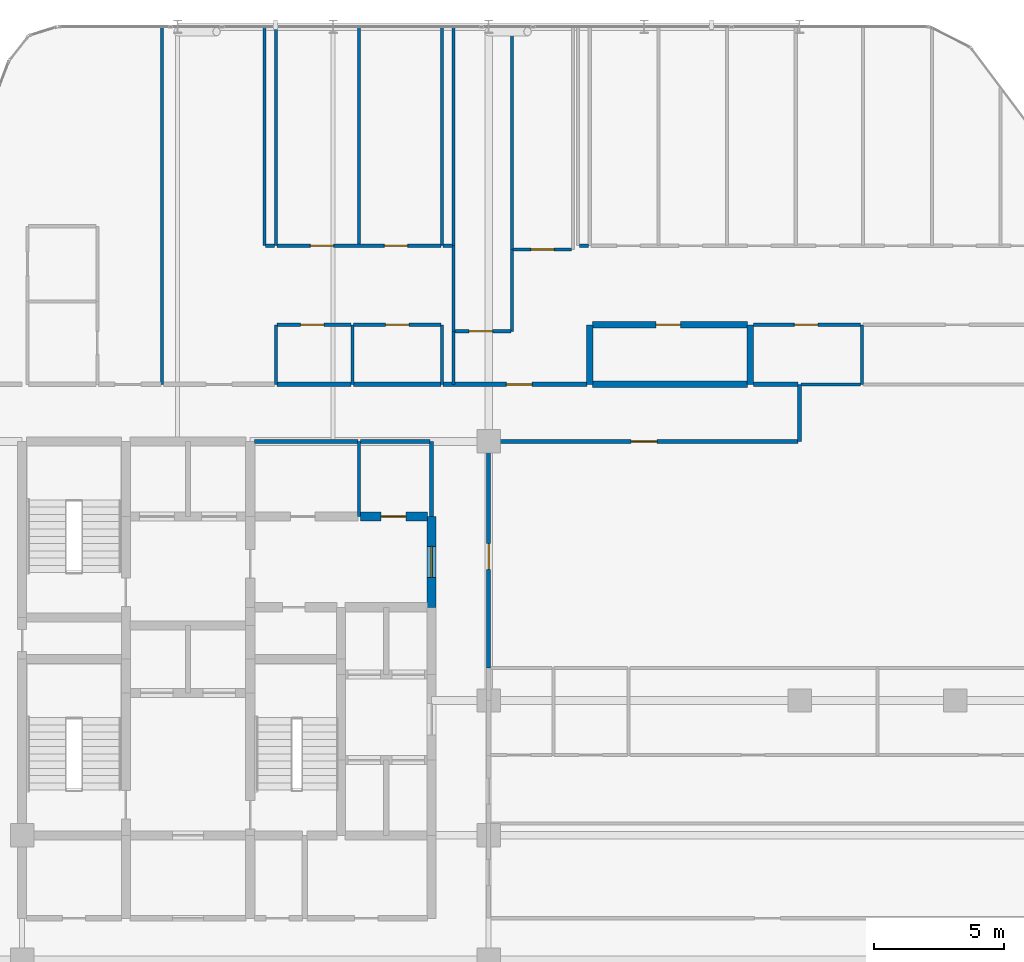
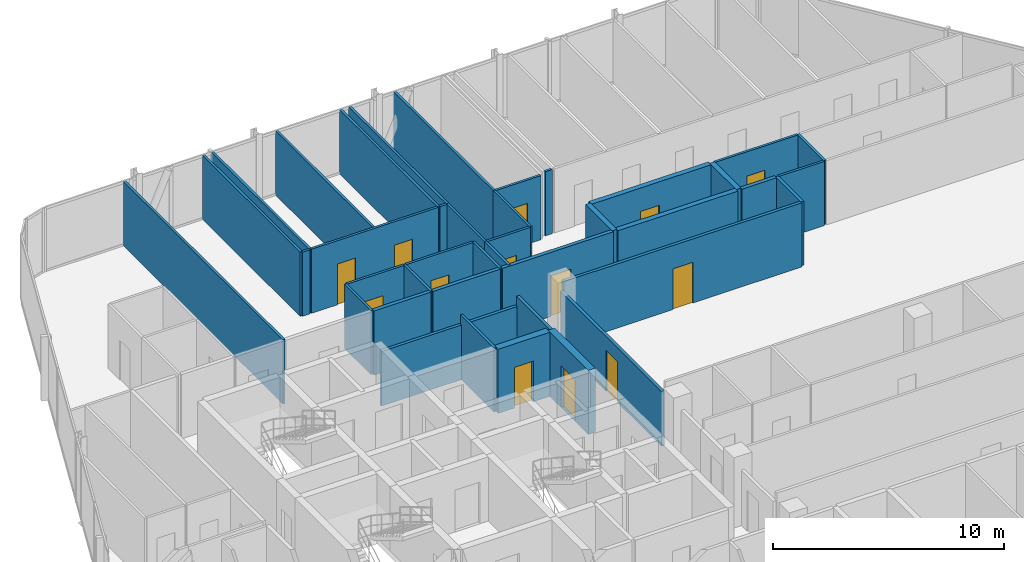
# One storey, part 29 of 31: 41 walls, 13 doors, 13 openings.
"""IFC4 building model written with IfcOpenShell, lengths in metres."""

from ifc_helpers import new_model, si_unit, direction, frame, frame_2d, origin, place, context, subcontext, project, spatial, rectangle, extrude, material, layer, layer_set, type_object, element, fill, save


model = new_model("IFC4")

# Units and contexts
model_context = context("Model", 3, precision=1e-05, world=origin(), true_north=direction((0.0, 1.0)))
body_context = subcontext(model_context, "Body", "Model", "MODEL_VIEW")
ifc_project = project(units=[si_unit("LENGTHUNIT", "METRE"), si_unit("AREAUNIT", "SQUARE_METRE"), si_unit("VOLUMEUNIT", "CUBIC_METRE"), si_unit("PLANEANGLEUNIT", "RADIAN"), si_unit("MASSUNIT", "GRAM", prefix="KILO")], contexts=[model_context])

# Site, building, storey
site_placement = place(None, origin())
site = spatial("IfcSite", under=ifc_project, at=site_placement, CompositionType="ELEMENT")
building_placement = place(site_placement, origin())
building = spatial("IfcBuilding", under=site, at=building_placement, Name="Keshet Zoharim Tower", CompositionType="ELEMENT")
storey_placement = place(building_placement, frame((0.0, 0.0, 140.89990234375)))
storey = spatial("IfcBuildingStorey", under=building, at=storey_placement, Name="L34", CompositionType="ELEMENT", Elevation=140.89990234375)

# Wall
ifc_material_1 = material(Name="Gypsum Plasterboard", Category="gypsum")
ifc_layer_1 = layer(ifc_material_1, 0.14990234375)
ifc_layer_set_1 = layer_set([ifc_layer_1], Name="Gypsum Plasterboard")
wall_type_1 = type_object("IfcWallType", Name="WL-CLIN-150", PredefinedType="STANDARD", material=ifc_layer_set_1)
wall_1_placement = place(storey_placement, frame((30.800048828125, 35.0, 0.0), z_axis=(0.0, 0.0, 1.0), x_axis=(0.0, 1.0, 0.0)))
element("IfcWall", 1, at=wall_1_placement, inside=storey, type_object=wall_type_1, Name="L34 Interior Wall 062", PredefinedType="STANDARD", context=body_context, shape_type="SweptSolid", body=[
    extrude(rectangle(XDim=2.89990234375, YDim=0.14990234375, at=frame_2d((1.449951171875, 0.0))), origin(), (0.0, 0.0, 1.0), 3.385009765625),
])

# Wall, opening, door
wall_2_placement = place(storey_placement, frame((33.0, 29.159912109375, 0.0), z_axis=(0.0, 0.0, 1.0), x_axis=(0.0, 1.0, 0.0)))
wall_2 = element("IfcWall", 2, at=wall_2_placement, inside=storey, type_object=wall_type_1, Name="L34 Interior Wall 072", PredefinedType="STANDARD", context=body_context, shape_type="SweptSolid", body=[
    extrude(rectangle(XDim=8.739990234375, YDim=0.14990234375, at=frame_2d((4.3701171875, 0.0))), origin(), (0.0, 0.0, 1.0), 2.885009765625),
])
opening_1_placement = place(wall_2_placement, frame((3.799072265625, 0.0, 0.0)))
opening_1 = element("IfcOpeningElement", 3, at=opening_1_placement, cuts=wall_2, Name="Opening D-F310", PredefinedType="OPENING", context=body_context, shape_type="SweptSolid", body=[
    extrude(rectangle(XDim=1.0, YDim=2.14990234375, at=frame_2d((0.5, 1.074951171875))), frame((0.0, 0.0849609375, 0.0), z_axis=(0.0, -1.0, 0.0), x_axis=(1.0, 0.0, 0.0)), (0.0, 0.0, 1.0), 0.169921875),
])
ifc_material_2 = material(Name="Hardwood Timber", Category="wood")
door_type_1 = type_object("IfcDoorType", Name="DR-FD30-100", OperationType="NOTDEFINED", PredefinedType="DOOR", material=ifc_material_2)
door_1_placement = place(opening_1_placement, origin())
door_1 = element("IfcDoor", 4, at=door_1_placement, inside=storey, type_object=door_type_1, Name="L34 North East Residents Services Suite Door 2", OperationType="SINGLE_SWING_RIGHT", OverallHeight=2.14990234375, OverallWidth=1.0, PredefinedType="DOOR", context=body_context, shape_type="SweptSolid", body=[
    extrude(rectangle(XDim=1.0, YDim=2.14990234375, at=frame_2d((0.5, 1.074951171875))), frame((0.0, 0.02490234375, 0.0), z_axis=(0.0, -1.0, 0.0), x_axis=(1.0, 0.0, 0.0)), (0.0, 0.0, 1.0), 0.050048828125),
])
fill(opening_1, door_1)

# Walls
wall_3_placement = place(storey_placement, frame((45.0, 37.89990234375, 0.0), z_axis=(0.0, 0.0, 1.0), x_axis=(0.0, 1.0, 0.0)))
element("IfcWall", 5, at=wall_3_placement, inside=storey, type_object=wall_type_1, Name="L34 Interior Wall 097", PredefinedType="STANDARD", context=body_context, shape_type="SweptSolid", body=[
    extrude(rectangle(XDim=2.2001953125, YDim=0.14990234375, at=frame_2d((1.10009765625, 0.0))), origin(), (0.0, 0.0, 1.0), 3.385009765625),
])
wall_4_placement = place(storey_placement, frame((23.9599609375, 37.89990234375, 0.0), z_axis=(0.0, 0.0, 1.0), x_axis=(1.0, 0.0, 0.0)))
element("IfcWall", 6, at=wall_4_placement, inside=storey, type_object=wall_type_1, Name="L34 Interior Wall 187", PredefinedType="STANDARD", context=body_context, shape_type="SweptSolid", body=[
    extrude(rectangle(XDim=3.9951171875, YDim=0.14990234375, at=frame_2d((1.99755859375, 0.0))), origin(), (0.0, 0.0, 1.0), 2.885009765625),
])
wall_5_placement = place(storey_placement, frame((28.044921875, 37.89990234375, 0.0), z_axis=(0.0, 0.0, 1.0), x_axis=(1.0, 0.0, 0.0)))
element("IfcWall", 7, at=wall_5_placement, inside=storey, type_object=wall_type_1, Name="L34 Interior Wall 188", PredefinedType="STANDARD", context=body_context, shape_type="SweptSolid", body=[
    extrude(rectangle(XDim=2.695068359375, YDim=0.14990234375, at=frame_2d((1.34765625, 0.0))), origin(), (0.0, 0.0, 1.0), 2.885009765625),
])

# Wall, opening, door
wall_6_placement = place(storey_placement, frame((33.06005859375, 37.89990234375, 0.0), z_axis=(0.0, 0.0, 1.0), x_axis=(1.0, 0.0, 0.0)))
wall_6 = element("IfcWall", 8, at=wall_6_placement, inside=storey, type_object=wall_type_1, Name="L34 Interior Wall 189", PredefinedType="STANDARD", context=body_context, shape_type="SweptSolid", body=[
    extrude(rectangle(XDim=11.87890625, YDim=0.14990234375, at=frame_2d((5.939453125, 0.0))), origin(), (0.0, 0.0, 1.0), 3.385009765625),
])
opening_2_placement = place(wall_6_placement, frame((5.43896484375, 0.0, 0.0)))
opening_2 = element("IfcOpeningElement", 9, at=opening_2_placement, cuts=wall_6, Name="Opening D-F310", PredefinedType="OPENING", context=body_context, shape_type="SweptSolid", body=[
    extrude(rectangle(XDim=1.0, YDim=2.14990234375, at=frame_2d((0.5, 1.074951171875))), frame((0.0, 0.0849609375, 0.0), z_axis=(0.0, -1.0, 0.0), x_axis=(1.0, 0.0, 0.0)), (0.0, 0.0, 1.0), 0.169921875),
])
door_2_placement = place(opening_2_placement, origin())
door_2 = element("IfcDoor", 10, at=door_2_placement, inside=storey, type_object=door_type_1, Name="L34 North East Residents Services Suite Door 1", OperationType="SINGLE_SWING_LEFT", OverallHeight=2.14990234375, OverallWidth=1.0, PredefinedType="DOOR", context=body_context, shape_type="SweptSolid", body=[
    extrude(rectangle(XDim=1.0, YDim=2.14990234375, at=frame_2d((0.5, 1.074951171875))), frame((0.0, 0.02490234375, 0.0), z_axis=(0.0, -1.0, 0.0), x_axis=(1.0, 0.0, 0.0)), (0.0, 0.0, 1.0), 0.050048828125),
])
fill(opening_2, door_2)

ifc_material_3 = material(Name="Concrete C60/75", Category="concrete")
ifc_layer_2 = layer(ifc_material_3, 0.35009765625)
ifc_layer_set_2 = layer_set([ifc_layer_2], Name="Concrete C60/75")
wall_type_2 = type_object("IfcWallType", Name="WL-CORE-350", PredefinedType="SHEAR", material=ifc_layer_set_2)
wall_7_placement = place(storey_placement, frame((30.800048828125, 31.5, 0.0), z_axis=(0.0, 0.0, 1.0), x_axis=(0.0, 1.0, 0.0)))
wall_7 = element("IfcWall", 11, at=wall_7_placement, inside=storey, type_object=wall_type_2, Name="L34 Core Shear Wall 061", PredefinedType="SHEAR", context=body_context, shape_type="SweptSolid", body=[
    extrude(rectangle(XDim=3.5, YDim=0.35009765625, at=frame_2d((1.75, 0.0))), origin(), (0.0, 0.0, 1.0), 3.385009765625),
])
opening_3_placement = place(wall_7_placement, frame((1.14990234375, 0.0, 0.0)))
opening_3 = element("IfcOpeningElement", 12, at=opening_3_placement, cuts=wall_7, Name="Opening D-F612", PredefinedType="OPENING", context=body_context, shape_type="SweptSolid", body=[
    extrude(rectangle(XDim=1.199951171875, YDim=2.199951171875, at=frame_2d((0.60009765625, 1.10009765625))), frame((0.0, 0.18505859375, 0.0), z_axis=(0.0, -1.0, 0.0), x_axis=(1.0, 0.0, 0.0)), (0.0, 0.0, 1.0), 0.3701171875),
])
door_type_2 = type_object("IfcDoorType", Name="DR-FD60-120", OperationType="NOTDEFINED", PredefinedType="DOOR", material=ifc_material_2)
door_3_placement = place(opening_3_placement, origin())
door_3 = element("IfcDoor", 13, at=door_3_placement, inside=storey, type_object=door_type_2, Name="L34 North Lift Lobby East Fire Door", OperationType="SINGLE_SWING_LEFT", OverallHeight=2.199951171875, OverallWidth=1.199951171875, PredefinedType="DOOR", context=body_context, shape_type="SweptSolid", body=[
    extrude(rectangle(XDim=1.199951171875, YDim=2.199951171875, at=frame_2d((0.60009765625, 1.10009765625))), frame((0.0, 0.02490234375, 0.0), z_axis=(0.0, -1.0, 0.0), x_axis=(1.0, 0.0, 0.0)), (0.0, 0.0, 1.0), 0.050048828125),
])
fill(opening_3, door_3)

wall_8_placement = place(storey_placement, frame((28.044921875, 35.0, 0.0), z_axis=(0.0, 0.0, 1.0), x_axis=(1.0, 0.0, 0.0)))
wall_8 = element("IfcWall", 14, at=wall_8_placement, inside=storey, type_object=wall_type_2, Name="L34 Core Shear Wall 184", PredefinedType="SHEAR", context=body_context, shape_type="SweptSolid", body=[
    extrude(rectangle(XDim=2.594970703125, YDim=0.35009765625, at=frame_2d((1.29736328125, 0.0))), origin(), (0.0, 0.0, 1.0), 3.385009765625),
])
opening_4_placement = place(wall_8_placement, frame((0.805908203125, 0.0, 0.0)))
opening_4 = element("IfcOpeningElement", 15, at=opening_4_placement, cuts=wall_8, Name="Opening D-F695", PredefinedType="OPENING", context=body_context, shape_type="SweptSolid", body=[
    extrude(rectangle(XDim=0.949951171875, YDim=2.14990234375, at=frame_2d((0.47509765625, 1.074951171875))), frame((0.0, 0.18505859375, 0.0), z_axis=(0.0, -1.0, 0.0), x_axis=(1.0, 0.0, 0.0)), (0.0, 0.0, 1.0), 0.3701171875),
])
door_type_3 = type_object("IfcDoorType", Name="DR-FD60-095", OperationType="NOTDEFINED", PredefinedType="DOOR", material=ifc_material_2)
door_4_placement = place(opening_4_placement, frame((0.949951171875, 0.0, 0.0), z_axis=(0.0, 0.0, 1.0), x_axis=(-1.0, 0.0, 0.0)))
door_4 = element("IfcDoor", 16, at=door_4_placement, inside=storey, type_object=door_type_3, Name="L34 Quiet Study Room Door", OperationType="SINGLE_SWING_RIGHT", OverallHeight=2.14990234375, OverallWidth=0.949951171875, PredefinedType="DOOR", context=body_context, shape_type="SweptSolid", body=[
    extrude(rectangle(XDim=0.949951171875, YDim=2.14990234375, at=frame_2d((0.47509765625, 1.074951171875))), frame((0.0, 0.02490234375, 0.0), z_axis=(0.0, -1.0, 0.0), x_axis=(1.0, 0.0, 0.0)), (0.0, 0.0, 1.0), 0.050048828125),
])
fill(opening_4, door_4)

# Walls
ifc_layer_3 = layer(ifc_material_1, 0.179931640625)
ifc_layer_set_3 = layer_set([ifc_layer_3], Name="Gypsum Plasterboard")
wall_type_3 = type_object("IfcWallType", Name="WL-CORR-180", PredefinedType="STANDARD", material=ifc_layer_set_3)
wall_9_placement = place(storey_placement, frame((24.8349609375, 40.10009765625, 0.0), z_axis=(0.0, 0.0, 1.0), x_axis=(1.0, 0.0, 0.0)))
element("IfcWall", 17, at=wall_9_placement, inside=storey, type_object=wall_type_3, Name="L34 Interior Wall 196", PredefinedType="STANDARD", context=body_context, shape_type="SweptSolid", body=[
    extrude(rectangle(XDim=2.859130859375, YDim=0.179931640625, at=frame_2d((1.4296875, 0.0))), origin(), (0.0, 0.0, 1.0), 3.385009765625),
])
wall_10_placement = place(storey_placement, frame((27.783935546875, 40.10009765625, 0.0), z_axis=(0.0, 0.0, 1.0), x_axis=(1.0, 0.0, 0.0)))
element("IfcWall", 18, at=wall_10_placement, inside=storey, type_object=wall_type_3, Name="L34 Interior Wall 197", PredefinedType="STANDARD", context=body_context, shape_type="SweptSolid", body=[
    extrude(rectangle(XDim=3.37109375, YDim=0.179931640625, at=frame_2d((1.685546875, 0.0))), origin(), (0.0, 0.0, 1.0), 3.385009765625),
])

# Wall, opening, door
wall_11_placement = place(storey_placement, frame((31.2451171875, 40.10009765625, 0.0), z_axis=(0.0, 0.0, 1.0), x_axis=(1.0, 0.0, 0.0)))
wall_11 = element("IfcWall", 19, at=wall_11_placement, inside=storey, type_object=wall_type_3, Name="L34 Interior Wall 198", PredefinedType="STANDARD", context=body_context, shape_type="SweptSolid", body=[
    extrude(rectangle(XDim=5.544921875, YDim=0.179931640625, at=frame_2d((2.7724609375, 0.0))), origin(), (0.0, 0.0, 1.0), 3.385009765625),
])
opening_5_placement = place(wall_11_placement, frame((2.43505859375, 0.0, 0.0)))
opening_5 = element("IfcOpeningElement", 20, at=opening_5_placement, cuts=wall_11, Name="Opening D-F310", PredefinedType="OPENING", context=body_context, shape_type="SweptSolid", body=[
    extrude(rectangle(XDim=1.0, YDim=2.14990234375, at=frame_2d((0.5, 1.074951171875))), frame((0.0, 0.10009765625, 0.0), z_axis=(0.0, -1.0, 0.0), x_axis=(1.0, 0.0, 0.0)), (0.0, 0.0, 1.0), 0.199951171875),
])
door_5_placement = place(opening_5_placement, origin())
door_5 = element("IfcDoor", 21, at=door_5_placement, inside=storey, type_object=door_type_1, Name="Apartment 3406 Entrance Door", OperationType="SINGLE_SWING_RIGHT", OverallHeight=2.14990234375, OverallWidth=1.0, PredefinedType="DOOR", context=body_context, shape_type="SweptSolid", body=[
    extrude(rectangle(XDim=1.0, YDim=2.14990234375, at=frame_2d((0.5, 1.074951171875))), frame((0.0, 0.02490234375, 0.0), z_axis=(0.0, -1.0, 0.0), x_axis=(1.0, 0.0, 0.0)), (0.0, 0.0, 1.0), 0.050048828125),
])
fill(opening_5, door_5)

# Walls
wall_12_placement = place(storey_placement, frame((43.2099609375, 40.10009765625, 0.0), z_axis=(0.0, 0.0, 1.0), x_axis=(1.0, 0.0, 0.0)))
element("IfcWall", 22, at=wall_12_placement, inside=storey, type_object=wall_type_3, Name="L34 Interior Wall 200", PredefinedType="STANDARD", context=body_context, shape_type="SweptSolid", body=[
    extrude(rectangle(XDim=1.72998046875, YDim=0.179931640625, at=frame_2d((0.864990234375, 0.0))), origin(), (0.0, 0.0, 1.0), 3.385009765625),
])
ifc_material_4 = material(Name="Concrete C50/60", Category="concrete")
ifc_layer_4 = layer(ifc_material_4, 0.25)
ifc_layer_set_4 = layer_set([ifc_layer_4], Name="Concrete C50/60")
wall_type_4 = type_object("IfcWallType", Name="WL-MAMAD-250", PredefinedType="STANDARD", material=ifc_layer_set_4)
for number, where, z_axis, x_axis, name in (
    (23, (36.89990234375, 40.10009765625, 0.0), (0.0, 0.0, 1.0), (0.0, 1.0, 0.0), "L34 Interior Wall 081"),
    (24, (43.10009765625, 40.10009765625, 0.0), (0.0, 0.0, 1.0), (0.0, 1.0, 0.0), "L34 Interior Wall 090"),
):
    element("IfcWall", number, at=place(storey_placement, frame(where, z_axis=z_axis, x_axis=x_axis)), inside=storey, type_object=wall_type_4, Name=name, PredefinedType="STANDARD", context=body_context, shape_type="SweptSolid", body=[
        extrude(rectangle(XDim=2.2998046875, YDim=0.25, at=frame_2d((1.14990234375, 0.0))), origin(), (0.0, 0.0, 1.0), 3.385009765625),
    ])
wall_13_placement = place(storey_placement, frame((37.010009765625, 40.10009765625, 0.0), z_axis=(0.0, 0.0, 1.0), x_axis=(1.0, 0.0, 0.0)))
element("IfcWall", 25, at=wall_13_placement, inside=storey, type_object=wall_type_4, Name="L34 Interior Wall 199", PredefinedType="STANDARD", context=body_context, shape_type="SweptSolid", body=[
    extrude(rectangle(XDim=5.97998046875, YDim=0.25, at=frame_2d((2.989990234375, 0.0))), origin(), (0.0, 0.0, 1.0), 3.385009765625),
])

# Wall, opening, door
wall_14_placement = place(storey_placement, frame((37.010009765625, 42.39990234375, 0.0), z_axis=(0.0, 0.0, 1.0), x_axis=(1.0, 0.0, 0.0)))
wall_14 = element("IfcWall", 26, at=wall_14_placement, inside=storey, type_object=wall_type_4, Name="L34 Interior Wall 207", PredefinedType="STANDARD", context=body_context, shape_type="SweptSolid", body=[
    extrude(rectangle(XDim=5.97998046875, YDim=0.25, at=frame_2d((2.989990234375, 0.0))), origin(), (0.0, 0.0, 1.0), 3.385009765625),
])
opening_6_placement = place(wall_14_placement, frame((2.443115234375, 0.0, 0.0)))
opening_6 = element("IfcOpeningElement", 27, at=opening_6_placement, cuts=wall_14, Name="Opening D-F695", PredefinedType="OPENING", context=body_context, shape_type="SweptSolid", body=[
    extrude(rectangle(XDim=0.949951171875, YDim=2.14990234375, at=frame_2d((0.47509765625, 1.074951171875))), frame((0.0, 0.135009765625, 0.0), z_axis=(0.0, -1.0, 0.0), x_axis=(1.0, 0.0, 0.0)), (0.0, 0.0, 1.0), 0.27001953125),
])
door_6_placement = place(opening_6_placement, origin())
door_6 = element("IfcDoor", 28, at=door_6_placement, inside=storey, type_object=door_type_3, Name="Apartment 3406 Study and Shelter Room Door", OperationType="SINGLE_SWING_RIGHT", OverallHeight=2.14990234375, OverallWidth=0.949951171875, PredefinedType="DOOR", context=body_context, shape_type="SweptSolid", body=[
    extrude(rectangle(XDim=0.949951171875, YDim=2.14990234375, at=frame_2d((0.47509765625, 1.074951171875))), frame((0.0, 0.02490234375, 0.0), z_axis=(0.0, -1.0, 0.0), x_axis=(1.0, 0.0, 0.0)), (0.0, 0.0, 1.0), 0.050048828125),
])
fill(opening_6, door_6)

# Walls
ifc_layer_5 = layer(ifc_material_1, 0.1201171875)
ifc_layer_set_5 = layer_set([ifc_layer_5], Name="Gypsum Plasterboard")
wall_type_5 = type_object("IfcWallType", Name="WL-PART-120", PredefinedType="PARTITIONING", material=ifc_layer_set_5)
wall_15_placement = place(storey_placement, frame((20.39990234375, 40.10009765625, 0.0), z_axis=(0.0, 0.0, 1.0), x_axis=(0.0, 1.0, 0.0)))
element("IfcWall", 29, at=wall_15_placement, inside=storey, type_object=wall_type_5, Name="L34 Interior Wall 030", PredefinedType="PARTITIONING", context=body_context, shape_type="SweptSolid", body=[
    extrude(rectangle(XDim=13.789794921875, YDim=0.1201171875, at=frame_2d((6.89501953125, 0.0))), origin(), (0.0, 0.0, 1.0), 3.385009765625),
])
wall_16_placement = place(storey_placement, frame((24.35009765625, 45.449951171875, 0.0), z_axis=(0.0, 0.0, 1.0), x_axis=(0.0, 1.0, 0.0)))
element("IfcWall", 30, at=wall_16_placement, inside=storey, type_object=wall_type_5, Name="L34 Interior Wall 041", PredefinedType="PARTITIONING", context=body_context, shape_type="SweptSolid", body=[
    extrude(rectangle(XDim=8.43994140625, YDim=0.1201171875, at=frame_2d((4.219970703125, 0.0))), origin(), (0.0, 0.0, 1.0), 3.385009765625),
])
wall_17_placement = place(storey_placement, frame((24.800048828125, 40.10009765625, 0.0), z_axis=(0.0, 0.0, 1.0), x_axis=(0.0, 1.0, 0.0)))
element("IfcWall", 31, at=wall_17_placement, inside=storey, type_object=wall_type_5, Name="L34 Interior Wall 043", PredefinedType="PARTITIONING", context=body_context, shape_type="SweptSolid", body=[
    extrude(rectangle(XDim=2.2998046875, YDim=0.1201171875, at=frame_2d((1.14990234375, 0.0))), origin(), (0.0, 0.0, 1.0), 3.385009765625),
])
wall_18_placement = place(storey_placement, frame((24.800048828125, 45.449951171875, 0.0), z_axis=(0.0, 0.0, 1.0), x_axis=(0.0, 1.0, 0.0)))
element("IfcWall", 32, at=wall_18_placement, inside=storey, type_object=wall_type_5, Name="L34 Interior Wall 044", PredefinedType="PARTITIONING", context=body_context, shape_type="SweptSolid", body=[
    extrude(rectangle(XDim=8.43994140625, YDim=0.1201171875, at=frame_2d((4.219970703125, 0.0))), origin(), (0.0, 0.0, 1.0), 3.385009765625),
])
wall_19_placement = place(storey_placement, frame((28.0, 35.0, 0.0), z_axis=(0.0, 0.0, 1.0), x_axis=(0.0, 1.0, 0.0)))
element("IfcWall", 33, at=wall_19_placement, inside=storey, type_object=wall_type_5, Name="L34 Interior Wall 051", PredefinedType="PARTITIONING", context=body_context, shape_type="SweptSolid", body=[
    extrude(rectangle(XDim=2.89990234375, YDim=0.1201171875, at=frame_2d((1.449951171875, 0.0))), origin(), (0.0, 0.0, 1.0), 3.385009765625),
])
for number, where, z_axis, x_axis, name in (
    (34, (28.0, 45.449951171875, 0.0), (0.0, 0.0, 1.0), (0.0, 1.0, 0.0), "L34 Interior Wall 052"),
    (35, (31.199951171875, 45.449951171875, 0.0), (0.0, 0.0, 1.0), (0.0, 1.0, 0.0), "L34 Interior Wall 064"),
):
    element("IfcWall", number, at=place(storey_placement, frame(where, z_axis=z_axis, x_axis=x_axis)), inside=storey, type_object=wall_type_5, Name=name, PredefinedType="PARTITIONING", context=body_context, shape_type="SweptSolid", body=[
        extrude(rectangle(XDim=8.43994140625, YDim=0.1201171875, at=frame_2d((4.219970703125, 0.0))), origin(), (0.0, 0.0, 1.0), 3.385009765625),
    ])
wall_20_placement = place(storey_placement, frame((31.64990234375, 40.10009765625, 0.0), z_axis=(0.0, 0.0, 1.0), x_axis=(0.0, 1.0, 0.0)))
element("IfcWall", 36, at=wall_20_placement, inside=storey, type_object=wall_type_5, Name="L34 Interior Wall 065", PredefinedType="PARTITIONING", context=body_context, shape_type="SweptSolid", body=[
    extrude(rectangle(XDim=2.0498046875, YDim=0.1201171875, at=frame_2d((1.02490234375, 0.0))), origin(), (0.0, 0.0, 1.0), 3.385009765625),
])
wall_21_placement = place(storey_placement, frame((31.64990234375, 42.14990234375, 0.0), z_axis=(0.0, 0.0, 1.0), x_axis=(0.0, 1.0, 0.0)))
element("IfcWall", 37, at=wall_21_placement, inside=storey, type_object=wall_type_5, Name="L34 Interior Wall 066", PredefinedType="PARTITIONING", context=body_context, shape_type="SweptSolid", body=[
    extrude(rectangle(XDim=3.300048828125, YDim=0.1201171875, at=frame_2d((1.64990234375, 0.0))), origin(), (0.0, 0.0, 1.0), 3.385009765625),
])
wall_22_placement = place(storey_placement, frame((31.64990234375, 45.449951171875, 0.0), z_axis=(0.0, 0.0, 1.0), x_axis=(0.0, 1.0, 0.0)))
element("IfcWall", 38, at=wall_22_placement, inside=storey, type_object=wall_type_5, Name="L34 Interior Wall 067", PredefinedType="PARTITIONING", context=body_context, shape_type="SweptSolid", body=[
    extrude(rectangle(XDim=8.43994140625, YDim=0.1201171875, at=frame_2d((4.219970703125, 0.0))), origin(), (0.0, 0.0, 1.0), 3.385009765625),
])
wall_23_placement = place(storey_placement, frame((33.89990234375, 42.14990234375, 0.0), z_axis=(0.0, 0.0, 1.0), x_axis=(0.0, 1.0, 0.0)))
element("IfcWall", 39, at=wall_23_placement, inside=storey, type_object=wall_type_5, Name="L34 Interior Wall 073", PredefinedType="PARTITIONING", context=body_context, shape_type="SweptSolid", body=[
    extrude(rectangle(XDim=3.150146484375, YDim=0.1201171875, at=frame_2d((1.5751953125, 0.0))), origin(), (0.0, 0.0, 1.0), 3.385009765625),
])
wall_24_placement = place(storey_placement, frame((33.89990234375, 45.300048828125, 0.0), z_axis=(0.0, 0.0, 1.0), x_axis=(0.0, 1.0, 0.0)))
element("IfcWall", 40, at=wall_24_placement, inside=storey, type_object=wall_type_5, Name="L34 Interior Wall 074", PredefinedType="PARTITIONING", context=body_context, shape_type="SweptSolid", body=[
    extrude(rectangle(XDim=8.58984375, YDim=0.1201171875, at=frame_2d((4.294921875, 0.0))), origin(), (0.0, 0.0, 1.0), 3.385009765625),
])

# Wall, opening, door
wall_25_placement = place(storey_placement, frame((31.695068359375, 42.14990234375, 0.0), z_axis=(0.0, 0.0, 1.0), x_axis=(1.0, 0.0, 0.0)))
wall_25 = element("IfcWall", 41, at=wall_25_placement, inside=storey, type_object=wall_type_5, Name="L34 Interior Wall 203", PredefinedType="PARTITIONING", context=body_context, shape_type="SweptSolid", body=[
    extrude(rectangle(XDim=2.159912109375, YDim=0.1201171875, at=frame_2d((1.080078125, 0.0))), origin(), (0.0, 0.0, 1.0), 3.385009765625),
])
opening_7_placement = place(wall_25_placement, frame((0.552978515625, 0.0, 0.0)))
opening_7 = element("IfcOpeningElement", 42, at=opening_7_placement, cuts=wall_25, Name="Opening D-IN90", PredefinedType="OPENING", context=body_context, shape_type="SweptSolid", body=[
    extrude(rectangle(XDim=0.89990234375, YDim=2.14990234375, at=frame_2d((0.449951171875, 1.074951171875))), frame((0.0, 0.070068359375, 0.0), z_axis=(0.0, -1.0, 0.0), x_axis=(1.0, 0.0, 0.0)), (0.0, 0.0, 1.0), 0.14013671875),
])
door_type_4 = type_object("IfcDoorType", Name="DR-INT-090", OperationType="NOTDEFINED", PredefinedType="DOOR", material=ifc_material_2)
door_7_placement = place(opening_7_placement, origin())
door_7 = element("IfcDoor", 43, at=door_7_placement, inside=storey, type_object=door_type_4, Name="Apartment 3406 Formal Dining Room Door", OperationType="SINGLE_SWING_LEFT", OverallHeight=2.14990234375, OverallWidth=0.89990234375, PredefinedType="DOOR", context=body_context, shape_type="SweptSolid", body=[
    extrude(rectangle(XDim=0.89990234375, YDim=2.14990234375, at=frame_2d((0.449951171875, 1.074951171875))), frame((0.0, 0.02490234375, 0.0), z_axis=(0.0, -1.0, 0.0), x_axis=(1.0, 0.0, 0.0)), (0.0, 0.0, 1.0), 0.050048828125),
])
fill(opening_7, door_7)

wall_26_placement = place(storey_placement, frame((24.8349609375, 42.39990234375, 0.0), z_axis=(0.0, 0.0, 1.0), x_axis=(1.0, 0.0, 0.0)))
wall_26 = element("IfcWall", 44, at=wall_26_placement, inside=storey, type_object=wall_type_5, Name="L34 Interior Wall 205", PredefinedType="PARTITIONING", context=body_context, shape_type="SweptSolid", body=[
    extrude(rectangle(XDim=2.859130859375, YDim=0.1201171875, at=frame_2d((1.4296875, 0.0))), origin(), (0.0, 0.0, 1.0), 3.385009765625),
])
opening_8_placement = place(wall_26_placement, frame((0.908935546875, 0.0, 0.0)))
opening_8 = element("IfcOpeningElement", 45, at=opening_8_placement, cuts=wall_26, Name="Opening D-IN90", PredefinedType="OPENING", context=body_context, shape_type="SweptSolid", body=[
    extrude(rectangle(XDim=0.89990234375, YDim=2.14990234375, at=frame_2d((0.449951171875, 1.074951171875))), frame((0.0, 0.070068359375, 0.0), z_axis=(0.0, -1.0, 0.0), x_axis=(1.0, 0.0, 0.0)), (0.0, 0.0, 1.0), 0.14013671875),
])
door_8_placement = place(opening_8_placement, origin())
door_8 = element("IfcDoor", 46, at=door_8_placement, inside=storey, type_object=door_type_4, Name="Apartment 3405 Kitchen Door", OperationType="SINGLE_SWING_RIGHT", OverallHeight=2.14990234375, OverallWidth=0.89990234375, PredefinedType="DOOR", context=body_context, shape_type="SweptSolid", body=[
    extrude(rectangle(XDim=0.89990234375, YDim=2.14990234375, at=frame_2d((0.449951171875, 1.074951171875))), frame((0.0, 0.02490234375, 0.0), z_axis=(0.0, -1.0, 0.0), x_axis=(1.0, 0.0, 0.0)), (0.0, 0.0, 1.0), 0.050048828125),
])
fill(opening_8, door_8)

wall_27_placement = place(storey_placement, frame((33.945068359375, 45.300048828125, 0.0), z_axis=(0.0, 0.0, 1.0), x_axis=(1.0, 0.0, 0.0)))
wall_27 = element("IfcWall", 47, at=wall_27_placement, inside=storey, type_object=wall_type_5, Name="L34 Interior Wall 212", PredefinedType="PARTITIONING", context=body_context, shape_type="SweptSolid", body=[
    extrude(rectangle(XDim=2.260009765625, YDim=0.1201171875, at=frame_2d((1.1298828125, 0.0))), origin(), (0.0, 0.0, 1.0), 3.385009765625),
])
opening_9_placement = place(wall_27_placement, frame((0.679931640625, 0.0, 0.0)))
opening_9 = element("IfcOpeningElement", 48, at=opening_9_placement, cuts=wall_27, Name="Opening D-IN90", PredefinedType="OPENING", context=body_context, shape_type="SweptSolid", body=[
    extrude(rectangle(XDim=0.89990234375, YDim=2.14990234375, at=frame_2d((0.449951171875, 1.074951171875))), frame((0.0, 0.070068359375, 0.0), z_axis=(0.0, -1.0, 0.0), x_axis=(1.0, 0.0, 0.0)), (0.0, 0.0, 1.0), 0.14013671875),
])
door_9_placement = place(opening_9_placement, origin())
door_9 = element("IfcDoor", 49, at=door_9_placement, inside=storey, type_object=door_type_4, Name="Apartment 3406 Home Study Room Door", OperationType="SINGLE_SWING_LEFT", OverallHeight=2.14990234375, OverallWidth=0.89990234375, PredefinedType="DOOR", context=body_context, shape_type="SweptSolid", body=[
    extrude(rectangle(XDim=0.89990234375, YDim=2.14990234375, at=frame_2d((0.449951171875, 1.074951171875))), frame((0.0, 0.02490234375, 0.0), z_axis=(0.0, -1.0, 0.0), x_axis=(1.0, 0.0, 0.0)), (0.0, 0.0, 1.0), 0.050048828125),
])
fill(opening_9, door_9)

# Wall
wall_28_placement = place(storey_placement, frame((24.385009765625, 45.449951171875, 0.0), z_axis=(0.0, 0.0, 1.0), x_axis=(1.0, 0.0, 0.0)))
element("IfcWall", 50, at=wall_28_placement, inside=storey, type_object=wall_type_5, Name="L34 Interior Wall 213", PredefinedType="PARTITIONING", context=body_context, shape_type="SweptSolid", body=[
    extrude(rectangle(XDim=0.360107421875, YDim=0.1201171875, at=frame_2d((0.18017578125, 0.0))), origin(), (0.0, 0.0, 1.0), 3.385009765625),
])

# Wall, openings, doors
wall_29_placement = place(storey_placement, frame((24.8349609375, 45.449951171875, 0.0), z_axis=(0.0, 0.0, 1.0), x_axis=(1.0, 0.0, 0.0)))
wall_29 = element("IfcWall", 51, at=wall_29_placement, inside=storey, type_object=wall_type_5, Name="L34 Interior Wall 214", PredefinedType="PARTITIONING", context=body_context, shape_type="SweptSolid", body=[
    extrude(rectangle(XDim=6.320068359375, YDim=0.1201171875, at=frame_2d((3.16015625, 0.0))), origin(), (0.0, 0.0, 1.0), 3.385009765625),
])
opening_10_placement = place(wall_29_placement, frame((1.281982421875, 0.0, 0.0)))
opening_10 = element("IfcOpeningElement", 52, at=opening_10_placement, cuts=wall_29, Name="Opening D-IN90", PredefinedType="OPENING", context=body_context, shape_type="SweptSolid", body=[
    extrude(rectangle(XDim=0.89990234375, YDim=2.14990234375, at=frame_2d((0.449951171875, 1.074951171875))), frame((0.0, 0.070068359375, 0.0), z_axis=(0.0, -1.0, 0.0), x_axis=(1.0, 0.0, 0.0)), (0.0, 0.0, 1.0), 0.14013671875),
])
opening_11_placement = place(wall_29_placement, frame((4.136962890625, 0.0, 0.0)))
opening_11 = element("IfcOpeningElement", 53, at=opening_11_placement, cuts=wall_29, Name="Opening D-IN90", PredefinedType="OPENING", context=body_context, shape_type="SweptSolid", body=[
    extrude(rectangle(XDim=0.89990234375, YDim=2.14990234375, at=frame_2d((0.449951171875, 1.074951171875))), frame((0.0, 0.070068359375, 0.0), z_axis=(0.0, -1.0, 0.0), x_axis=(1.0, 0.0, 0.0)), (0.0, 0.0, 1.0), 0.14013671875),
])
door_10_placement = place(opening_10_placement, origin())
door_10 = element("IfcDoor", 54, at=door_10_placement, inside=storey, type_object=door_type_4, Name="Apartment 3405 Bedroom 1 Door", OperationType="SINGLE_SWING_RIGHT", OverallHeight=2.14990234375, OverallWidth=0.89990234375, PredefinedType="DOOR", context=body_context, shape_type="SweptSolid", body=[
    extrude(rectangle(XDim=0.89990234375, YDim=2.14990234375, at=frame_2d((0.449951171875, 1.074951171875))), frame((0.0, 0.02490234375, 0.0), z_axis=(0.0, -1.0, 0.0), x_axis=(1.0, 0.0, 0.0)), (0.0, 0.0, 1.0), 0.050048828125),
])
fill(opening_10, door_10)
door_11_placement = place(opening_11_placement, origin())
door_11 = element("IfcDoor", 55, at=door_11_placement, inside=storey, type_object=door_type_4, Name="Apartment 3405 Bedroom 2 Door", OperationType="SINGLE_SWING_LEFT", OverallHeight=2.14990234375, OverallWidth=0.89990234375, PredefinedType="DOOR", context=body_context, shape_type="SweptSolid", body=[
    extrude(rectangle(XDim=0.89990234375, YDim=2.14990234375, at=frame_2d((0.449951171875, 1.074951171875))), frame((0.0, 0.02490234375, 0.0), z_axis=(0.0, -1.0, 0.0), x_axis=(1.0, 0.0, 0.0)), (0.0, 0.0, 1.0), 0.050048828125),
])
fill(opening_11, door_11)

# Walls
for number, where, z_axis, x_axis, name in (
    (56, (31.2451171875, 45.449951171875, 0.0), (0.0, 0.0, 1.0), (1.0, 0.0, 0.0), "L34 Interior Wall 215"),
    (57, (36.4951171875, 45.449951171875, 0.0), (0.0, 0.0, 1.0), (1.0, 0.0, 0.0), "L34 Interior Wall 216"),
):
    element("IfcWall", number, at=place(storey_placement, frame(where, z_axis=z_axis, x_axis=x_axis)), inside=storey, type_object=wall_type_5, Name=name, PredefinedType="PARTITIONING", context=body_context, shape_type="SweptSolid", body=[
        extrude(rectangle(XDim=0.35986328125, YDim=0.1201171875, at=frame_2d((0.179931640625, 0.0))), origin(), (0.0, 0.0, 1.0), 3.385009765625),
    ])
ifc_layer_6 = layer(ifc_material_1, 0.1201171875)
ifc_layer_set_6 = layer_set([ifc_layer_6], Name="Gypsum Plasterboard")
wall_type_6 = type_object("IfcWallType", Name="WL-WET-120", PredefinedType="PARTITIONING", material=ifc_layer_set_6)
for number, where, z_axis, x_axis, name in (
    (58, (27.75, 40.10009765625, 0.0), (0.0, 0.0, 1.0), (0.0, 1.0, 0.0), "L34 Interior Wall 050"),
    (59, (31.199951171875, 40.10009765625, 0.0), (0.0, 0.0, 1.0), (0.0, 1.0, 0.0), "L34 Interior Wall 063"),
    (60, (47.39990234375, 40.10009765625, 0.0), (0.0, 0.0, 1.0), (0.0, 1.0, 0.0), "L34 Interior Wall 099"),
):
    element("IfcWall", number, at=place(storey_placement, frame(where, z_axis=z_axis, x_axis=x_axis)), inside=storey, type_object=wall_type_6, Name=name, PredefinedType="PARTITIONING", context=body_context, shape_type="SweptSolid", body=[
        extrude(rectangle(XDim=2.2998046875, YDim=0.1201171875, at=frame_2d((1.14990234375, 0.0))), origin(), (0.0, 0.0, 1.0), 3.385009765625),
    ])
wall_30_placement = place(storey_placement, frame((45.06005859375, 40.10009765625, 0.0), z_axis=(0.0, 0.0, 1.0), x_axis=(1.0, 0.0, 0.0)))
element("IfcWall", 61, at=wall_30_placement, inside=storey, type_object=wall_type_6, Name="L34 Interior Wall 201", PredefinedType="PARTITIONING", context=body_context, shape_type="SweptSolid", body=[
    extrude(rectangle(XDim=2.294921875, YDim=0.1201171875, at=frame_2d((1.1474609375, 0.0))), origin(), (0.0, 0.0, 1.0), 3.385009765625),
])

# Wall, opening, door
wall_31_placement = place(storey_placement, frame((27.783935546875, 42.39990234375, 0.0), z_axis=(0.0, 0.0, 1.0), x_axis=(1.0, 0.0, 0.0)))
wall_31 = element("IfcWall", 62, at=wall_31_placement, inside=storey, type_object=wall_type_6, Name="L34 Interior Wall 206", PredefinedType="PARTITIONING", context=body_context, shape_type="SweptSolid", body=[
    extrude(rectangle(XDim=3.37109375, YDim=0.1201171875, at=frame_2d((1.685546875, 0.0))), origin(), (0.0, 0.0, 1.0), 3.385009765625),
])
opening_12_placement = place(wall_31_placement, frame((1.236083984375, 0.0, 0.0)))
opening_12 = element("IfcOpeningElement", 63, at=opening_12_placement, cuts=wall_31, Name="Opening D-WT90", PredefinedType="OPENING", context=body_context, shape_type="SweptSolid", body=[
    extrude(rectangle(XDim=0.89990234375, YDim=2.10009765625, at=frame_2d((0.449951171875, 1.050048828125))), frame((0.0, 0.070068359375, 0.0), z_axis=(0.0, -1.0, 0.0), x_axis=(1.0, 0.0, 0.0)), (0.0, 0.0, 1.0), 0.14013671875),
])
door_type_5 = type_object("IfcDoorType", Name="DR-WET-090", OperationType="NOTDEFINED", PredefinedType="DOOR", material=ifc_material_2)
door_12_placement = place(opening_12_placement, origin())
door_12 = element("IfcDoor", 64, at=door_12_placement, inside=storey, type_object=door_type_5, Name="Apartment 3405 Bathroom Door", OperationType="SINGLE_SWING_LEFT", OverallHeight=2.10009765625, OverallWidth=0.89990234375, PredefinedType="DOOR", context=body_context, shape_type="SweptSolid", body=[
    extrude(rectangle(XDim=0.89990234375, YDim=2.10009765625, at=frame_2d((0.449951171875, 1.050048828125))), frame((0.0, 0.02490234375, 0.0), z_axis=(0.0, -1.0, 0.0), x_axis=(1.0, 0.0, 0.0)), (0.0, 0.0, 1.0), 0.050048828125),
])
fill(opening_12, door_12)

wall_32_placement = place(storey_placement, frame((43.2099609375, 42.39990234375, 0.0), z_axis=(0.0, 0.0, 1.0), x_axis=(1.0, 0.0, 0.0)))
wall_32 = element("IfcWall", 65, at=wall_32_placement, inside=storey, type_object=wall_type_6, Name="L34 Interior Wall 208", PredefinedType="PARTITIONING", context=body_context, shape_type="SweptSolid", body=[
    extrude(rectangle(XDim=4.14501953125, YDim=0.1201171875, at=frame_2d((2.072509765625, 0.0))), origin(), (0.0, 0.0, 1.0), 3.385009765625),
])
opening_13_placement = place(wall_32_placement, frame((1.590087890625, 0.0, 0.0)))
opening_13 = element("IfcOpeningElement", 66, at=opening_13_placement, cuts=wall_32, Name="Opening D-WT90", PredefinedType="OPENING", context=body_context, shape_type="SweptSolid", body=[
    extrude(rectangle(XDim=0.89990234375, YDim=2.10009765625, at=frame_2d((0.449951171875, 1.050048828125))), frame((0.0, 0.070068359375, 0.0), z_axis=(0.0, -1.0, 0.0), x_axis=(1.0, 0.0, 0.0)), (0.0, 0.0, 1.0), 0.14013671875),
])
door_13_placement = place(opening_13_placement, origin())
door_13 = element("IfcDoor", 67, at=door_13_placement, inside=storey, type_object=door_type_5, Name="Apartment 3406 Bathroom Door", OperationType="SINGLE_SWING_LEFT", OverallHeight=2.10009765625, OverallWidth=0.89990234375, PredefinedType="DOOR", context=body_context, shape_type="SweptSolid", body=[
    extrude(rectangle(XDim=0.89990234375, YDim=2.10009765625, at=frame_2d((0.449951171875, 1.050048828125))), frame((0.0, 0.02490234375, 0.0), z_axis=(0.0, -1.0, 0.0), x_axis=(1.0, 0.0, 0.0)), (0.0, 0.0, 1.0), 0.050048828125),
])
fill(opening_13, door_13)

save(model, "model.ifc")
